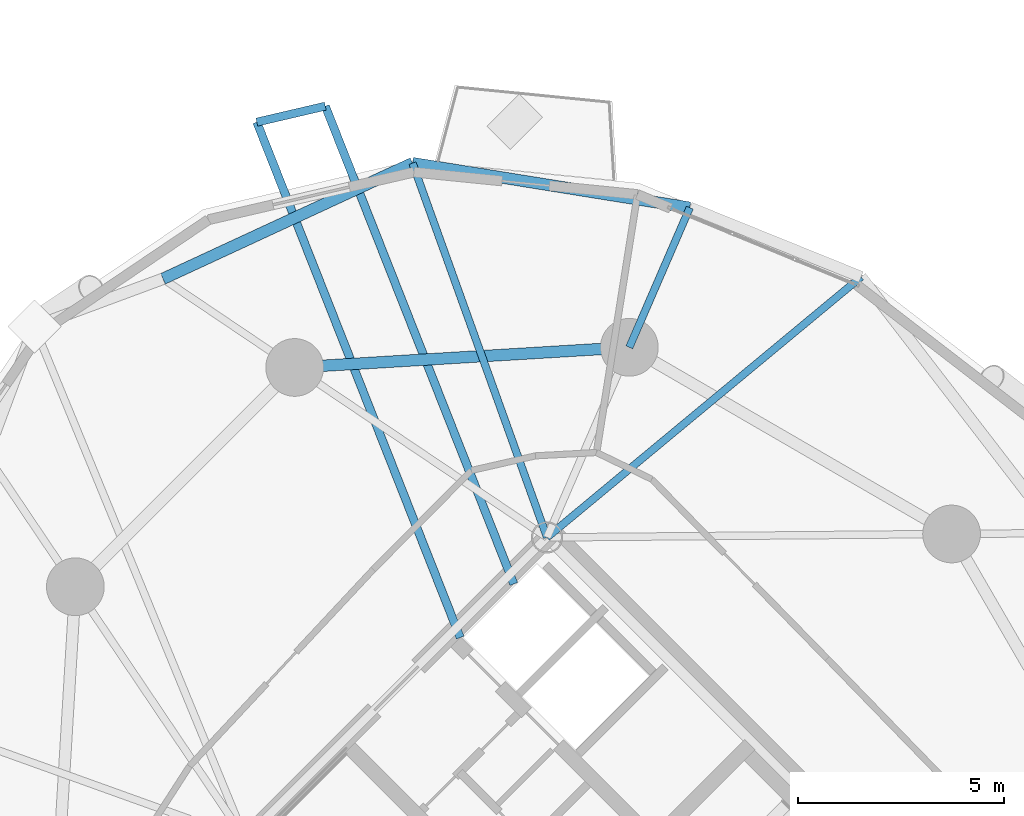
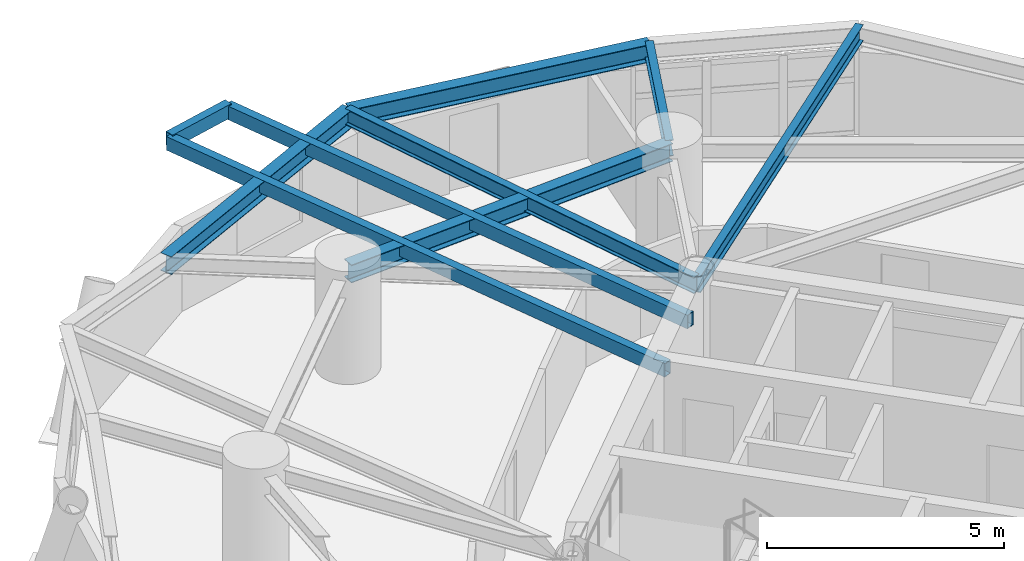
# One storey, part 6 of 18: 9 beams.
"""IFC4 building model written with IfcOpenShell, lengths in metres."""

import ifcopenshell
import ifcopenshell.guid

model = None  # the IFC model being written
_history = None  # IfcOwnerHistory: only IFC2X3 demands one
_inside = {}  # id of a spatial element -> (the spatial element, [elements in it])
_under = {}  # id of a project, library or spatial element -> (it, [spatial elements below it])
_declared = {}  # id of a project -> (the project, [libraries it declares])
_typed = {}  # id of a type object -> (the type object, [elements of that type])
_made_of = {}  # id of a material, layer set ... -> (it, [elements and type objects made of it])


def new_model(schema):
    """Start an empty IFC model of exactly this schema.

    Asked for "IFC4X3", IfcOpenShell would pick the latest addendum, in which some entities
    have other attributes; the version numbers below select the first issue.
    IFC2X3 requires an IfcOwnerHistory on every rooted entity: one is made here for all.
    """
    global model, _history
    if schema == "IFC4X3":
        model = ifcopenshell.file(schema_version=(4, 3, 0, 0))
    else:
        model = ifcopenshell.file(schema=schema)
    _inside.clear()
    _under.clear()
    _declared.clear()
    _typed.clear()
    _made_of.clear()
    _history = None
    if model.schema == "IFC2X3":
        org = make("IfcOrganization", Name="unknown")
        user = make(
            "IfcPersonAndOrganization",
            ThePerson=make("IfcPerson", FamilyName="unknown"),
            TheOrganization=org,
        )
        app = make(
            "IfcApplication",
            ApplicationDeveloper=org,
            Version="unknown",
            ApplicationFullName="unknown",
            ApplicationIdentifier="unknown",
        )
        _history = make(
            "IfcOwnerHistory",
            OwningUser=user,
            OwningApplication=app,
            ChangeAction="ADDED",
            CreationDate=0,
        )
    return model


def make(cls, **values):
    """One entity of the class cls with the attributes given. An attribute that is None is left unset."""
    return model.create_entity(
        cls, **{name: value for name, value in values.items() if value is not None}
    )


def rooted(cls, **values):
    """An entity with a GlobalId (a new one), such as an element, a storey or a relation."""
    return make(cls, GlobalId=ifcopenshell.guid.new(), OwnerHistory=_history, **values)


def si_unit(unit_type, name, prefix=None):
    """IfcSIUnit, for example si_unit("LENGTHUNIT", "METRE", prefix="MILLI")."""
    return make("IfcSIUnit", UnitType=unit_type, Prefix=prefix, Name=name)


def assignment(units):
    """IfcUnitAssignment: the units of a project."""
    return None if units is None else make("IfcUnitAssignment", Units=units)


def point(xyz):
    """IfcCartesianPoint."""
    return None if xyz is None else make("IfcCartesianPoint", Coordinates=xyz)


def direction(xyz):
    """IfcDirection."""
    return None if xyz is None else make("IfcDirection", DirectionRatios=xyz)


def frame(location, z_axis=None, x_axis=None):
    """IfcAxis2Placement3D, a coordinate frame: its origin and axes. An axis left out is left unset."""
    return make(
        "IfcAxis2Placement3D",
        Location=point(location),
        Axis=direction(z_axis),
        RefDirection=direction(x_axis),
    )


def frame_2d(location, x_axis=None):
    """IfcAxis2Placement2D, a coordinate frame in the plane: its origin and x axis."""
    return make(
        "IfcAxis2Placement2D", Location=point(location), RefDirection=direction(x_axis)
    )


def origin():
    """The frame at (0, 0, 0) with its axes left unset."""
    return frame((0.0, 0.0, 0.0))


def origin_2d():
    """The frame at (0, 0) in the plane with its x axis left unset."""
    return frame_2d((0.0, 0.0))


def place(relative_to, where):
    """IfcLocalPlacement: puts the frame where relative to a parent placement (None: the world)."""
    return make(
        "IfcLocalPlacement", PlacementRelTo=relative_to, RelativePlacement=where
    )


def context(
    kind, dimensions, precision=None, world=None, true_north=None, identifier=None
):
    """IfcGeometricRepresentationContext, for example the 3D "Model" context."""
    return make(
        "IfcGeometricRepresentationContext",
        ContextIdentifier=identifier,
        ContextType=kind,
        CoordinateSpaceDimension=dimensions,
        Precision=precision,
        WorldCoordinateSystem=world,
        TrueNorth=true_north,
    )


def subcontext(parent, identifier, kind, view, scale=None):
    """IfcGeometricRepresentationSubContext, for example "Body" below "Model"."""
    return make(
        "IfcGeometricRepresentationSubContext",
        ContextIdentifier=identifier,
        ContextType=kind,
        ParentContext=parent,
        TargetScale=scale,
        TargetView=view,
    )


def project(units=None, contexts=None):
    """IfcProject with its units and contexts."""
    return rooted(
        "IfcProject",
        Name="project",
        RepresentationContexts=contexts,
        UnitsInContext=assignment(units),
    )


def spatial(cls, under=None, at=None, **own):
    """A site, building, storey or space (cls), placed at a placement, below another one or the project."""
    s = rooted(cls, ObjectPlacement=at, **own)
    if under is not None:
        _under.setdefault(under.id(), (under, []))[1].append(s)
    return s


def profile(cls, at=None, kind="AREA", **sizes):
    """A parametric profile (cls). Its sizes go by their IFC names, for example OverallWidth=200.0."""
    return make(cls, ProfileType=kind, Position=at, **sizes)


def hollow_rectangle(**sizes):
    """IfcRectangleHollowProfileDef."""
    return profile("IfcRectangleHollowProfileDef", **sizes)


def i_section(**sizes):
    """IfcIShapeProfileDef."""
    return profile("IfcIShapeProfileDef", **sizes)


def extrude(swept, where, along, depth):
    """IfcExtrudedAreaSolid: the profile swept, set in the frame where, extruded along a direction by depth."""
    return make(
        "IfcExtrudedAreaSolid",
        SweptArea=swept,
        Position=where,
        ExtrudedDirection=direction(along),
        Depth=depth,
    )


def shape(context_of_items, identifier, shape_type, items):
    """IfcShapeRepresentation: the items that make up one representation, for example the "Body"."""
    return make(
        "IfcShapeRepresentation",
        ContextOfItems=context_of_items,
        RepresentationIdentifier=identifier,
        RepresentationType=shape_type,
        Items=items,
    )


def material(Name=None, Category=None):
    """IfcMaterial."""
    return make("IfcMaterial", Name=Name, Category=Category)


def material_profile(
    of_material, cross_section, Name=None, Category=None, Priority=None
):
    """IfcMaterialProfile: a cross section and its material."""
    return make(
        "IfcMaterialProfile",
        Name=Name,
        Material=of_material,
        Profile=cross_section,
        Priority=Priority,
        Category=Category,
    )


def profile_set(profiles, Name=None, composite=None):
    """IfcMaterialProfileSet."""
    return make(
        "IfcMaterialProfileSet",
        Name=Name,
        MaterialProfiles=profiles,
        CompositeProfile=composite,
    )


def made_of(thing, what):
    """Note that an element or type object is made of a material, layer set ...; save() writes the relation."""
    if what is not None:
        _made_of.setdefault(what.id(), (what, []))[1].append(thing)
    return thing


def type_object(cls, material=None, **own):
    """A type object (cls), such as IfcWallType, which elements share."""
    return made_of(rooted(cls, **own), material)


def element(
    cls,
    number,
    at=None,
    inside=None,
    cuts=None,
    type_object=None,
    material=None,
    context=None,
    identifier="Body",
    shape_type=None,
    held_by="IfcProductDefinitionShape",
    body=None,
    shapes=None,
    **own,
):
    """One element of the class cls, such as IfcWall. Its Tag is "e" and its number.

    at: its placement. inside: the storey or other place that contains it. cuts: it is an
    opening in that element (IfcRelVoidsElement). A single representation is given by context,
    identifier, shape_type and body (its items); several are given by shapes. held_by: the class
    of the entity that holds the representations. save() writes the other relations.
    """
    e = rooted(cls, Tag="e%d" % number, ObjectPlacement=at, **own)
    if body is not None:
        shapes = [shape(context, identifier, shape_type, body)]
    if shapes is not None:
        e.Representation = make(held_by, Representations=shapes)
    if inside is not None:
        _inside.setdefault(inside.id(), (inside, []))[1].append(e)
    if cuts is not None:
        rooted(
            "IfcRelVoidsElement", RelatingBuildingElement=cuts, RelatedOpeningElement=e
        )
    if type_object is not None:
        _typed.setdefault(type_object.id(), (type_object, []))[1].append(e)
    return made_of(e, material)


def aggregate(whole, parts):
    """IfcRelAggregates: a whole, such as a stair, and the parts it consists of."""
    return rooted("IfcRelAggregates", RelatingObject=whole, RelatedObjects=parts)


def save(model, path):
    """Write the relations noted so far, then the file.

    IfcRelAggregates (storeys below a building ...), IfcRelContainedInSpatialStructure (elements
    in a storey), IfcRelDefinesByType, IfcRelAssociatesMaterial and IfcRelDeclares: one each for
    every whole, place, type object, material and project.
    """
    for whole, parts in _under.values():
        aggregate(whole, parts)
    for where, things in _inside.values():
        rooted(
            "IfcRelContainedInSpatialStructure",
            RelatedElements=things,
            RelatingStructure=where,
        )
    for kind, things in _typed.values():
        rooted("IfcRelDefinesByType", RelatedObjects=things, RelatingType=kind)
    for what, things in _made_of.values():
        rooted("IfcRelAssociatesMaterial", RelatedObjects=things, RelatingMaterial=what)
    for by, libraries in _declared.values():
        rooted("IfcRelDeclares", RelatingContext=by, RelatedDefinitions=libraries)
    model.write(path)


model = new_model("IFC4")

# Units and contexts
model_context = context("Model", 3, precision=1e-05, world=origin(), true_north=direction((0.0, 1.0)))
body_context = subcontext(model_context, "Body", "Model", "MODEL_VIEW")
ifc_project = project(units=[si_unit("LENGTHUNIT", "METRE"), si_unit("AREAUNIT", "SQUARE_METRE"), si_unit("VOLUMEUNIT", "CUBIC_METRE"), si_unit("PLANEANGLEUNIT", "RADIAN"), si_unit("MASSUNIT", "GRAM", prefix="KILO")], contexts=[model_context])

# Site, building, storey
site_placement = place(None, origin())
site = spatial("IfcSite", under=ifc_project, at=site_placement, CompositionType="ELEMENT")
building_placement = place(site_placement, origin())
building = spatial("IfcBuilding", under=site, at=building_placement, Name="Cununo Teusaquillo Station Towers", CompositionType="ELEMENT")
storey_placement = place(building_placement, frame((0.0, 0.0, 75.969970703125)))
storey = spatial("IfcBuildingStorey", under=building, at=storey_placement, Name="L23", CompositionType="ELEMENT", Elevation=75.969970703125)

# Beams
ifc_material_1 = material(Name="Steel EN 10025-2 S355J2", Category="steel")
ifc_material_profile_1 = material_profile(ifc_material_1, hollow_rectangle(XDim=0.199951171875, YDim=0.35009765625, WallThickness=0.013916015625, at=origin_2d()), Name="RHS 350x200x14")
ifc_profile_set_1 = profile_set([ifc_material_profile_1], Name="Steel EN 10025-2 S355J2")
beam_type_1 = type_object("IfcBeamType", Name="BM-BAL-CANT", PredefinedType="BEAM", material=ifc_profile_set_1)
beam_1_placement = place(storey_placement, frame((55.48974609375, 31.894287109375, 2.4951171875), z_axis=(-0.367001462432, 0.930220364523, 0.0), x_axis=(-0.930220364523, -0.367001462432, 0.0)))
element("IfcBeam", 1, at=beam_1_placement, inside=storey, type_object=beam_type_1, Name="L23 Tower B Balcony Cantilever Bracket 1A", PredefinedType="BEAM", context=body_context, shape_type="SweptSolid", body=[
    extrude(hollow_rectangle(XDim=0.199951171875, YDim=0.35009765625, WallThickness=0.013916015625, at=origin_2d()), origin(), (0.0, 0.0, 1.0), 12.459716796875),
])
beam_2_placement = place(storey_placement, frame((54.188720703125, 30.593505859375, 2.4951171875), z_axis=(-0.367008555132, 0.930217566196, 0.0), x_axis=(-0.930217566196, -0.367008555132, 0.0)))
element("IfcBeam", 2, at=beam_2_placement, inside=storey, type_object=beam_type_1, Name="L23 Tower B Balcony Cantilever Bracket 1B", PredefinedType="BEAM", context=body_context, shape_type="SweptSolid", body=[
    extrude(hollow_rectangle(XDim=0.199951171875, YDim=0.35009765625, WallThickness=0.013916015625, at=origin_2d()), origin(), (0.0, 0.0, 1.0), 13.44140625),
])
ifc_material_2 = material(Name="Steel ASTM A572 Grade 50", Category="steel")
ifc_material_profile_2 = material_profile(ifc_material_2, i_section(OverallWidth=0.180908203125, OverallDepth=0.4169921875, WebThickness=0.010986328125, FlangeThickness=0.018310546875, FilletRadius=0.012939453125, at=origin_2d()), Name="W16X57")
ifc_profile_set_2 = profile_set([ifc_material_profile_2], Name="Steel ASTM A572 Grade 50")
beam_type_2 = type_object("IfcBeamType", Name="BM-JOIST-1", PredefinedType="JOIST", material=ifc_profile_set_2)
beam_3_placement = place(storey_placement, frame((56.29443359375, 33.024169921875, 2.46142578125), z_axis=(0.769727799615, 0.638372238196, 0.0), x_axis=(-0.638372238196, 0.769727799615, 0.0)))
element("IfcBeam", 3, at=beam_3_placement, inside=storey, type_object=beam_type_2, Name="L23 Tower B Radial Spandrel Joist V01", PredefinedType="JOIST", context=body_context, shape_type="SweptSolid", body=[
    extrude(i_section(OverallWidth=0.180908203125, OverallDepth=0.4169921875, WebThickness=0.010986328125, FlangeThickness=0.018310546875, FilletRadius=0.012939453125, at=origin_2d()), origin(), (0.0, 0.0, 1.0), 9.895263671875),
])
beam_4_placement = place(storey_placement, frame((56.29443359375, 33.024169921875, 2.46142578125), z_axis=(-0.338176312038, 0.941082771055, 0.0), x_axis=(-0.941082771055, -0.338176312038, 0.0)))
element("IfcBeam", 4, at=beam_4_placement, inside=storey, type_object=beam_type_2, Name="L23 Tower B Radial Spandrel Joist V03", PredefinedType="JOIST", context=body_context, shape_type="SweptSolid", body=[
    extrude(i_section(OverallWidth=0.180908203125, OverallDepth=0.4169921875, WebThickness=0.010986328125, FlangeThickness=0.018310546875, FilletRadius=0.012939453125, at=origin_2d()), origin(), (0.0, 0.0, 1.0), 9.646484375),
])
ifc_material_3 = material(Name="Steel ASTM A572 Grade 50", Category="steel")
ifc_material_profile_3 = material_profile(ifc_material_3, i_section(OverallWidth=0.180908203125, OverallDepth=0.4169921875, WebThickness=0.010986328125, FlangeThickness=0.018310546875, FilletRadius=0.012939453125, at=origin_2d()), Name="W16X57")
ifc_profile_set_3 = profile_set([ifc_material_profile_3], Name="Steel ASTM A572 Grade 50")
beam_type_3 = type_object("IfcBeamType", Name="BM-RAD-G2", PredefinedType="BEAM", material=ifc_profile_set_3)
beam_5_placement = place(storey_placement, frame((58.291015625, 37.63525390625, 2.46142578125), z_axis=(0.397421761279, 0.917636062751, 0.0), x_axis=(-0.917636062751, 0.397421761279, 0.0)))
element("IfcBeam", 5, at=beam_5_placement, inside=storey, type_object=beam_type_3, Name="L23 Tower B Perimeter Overhang Girder 02B", PredefinedType="BEAM", context=body_context, shape_type="SweptSolid", body=[
    extrude(i_section(OverallWidth=0.180908203125, OverallDepth=0.4169921875, WebThickness=0.010986328125, FlangeThickness=0.018310546875, FilletRadius=0.012939453125, at=origin_2d()), origin(), (0.0, 0.0, 1.0), 3.690185546875),
])
ifc_material_4 = material(Name="Steel ASTM A572 Grade 50", Category="steel")
ifc_material_profile_4 = material_profile(ifc_material_4, i_section(OverallWidth=0.280029296875, OverallDepth=0.462890625, WebThickness=0.0107421875, FlangeThickness=0.017333984375, FilletRadius=0.013916015625, at=origin_2d()), Name="W18X76")
ifc_profile_set_4 = profile_set([ifc_material_profile_4], Name="Steel ASTM A572 Grade 50")
beam_type_4 = type_object("IfcBeamType", Name="BM-RING-Z2", PredefinedType="SPANDREL", material=ifc_profile_set_4)
beam_6_placement = place(storey_placement, frame((58.291015625, 37.63525390625, 2.4384765625), z_axis=(-0.998190567048, -0.06012979176, 0.0), x_axis=(0.06012979176, -0.998190567048, 0.0)))
element("IfcBeam", 6, at=beam_6_placement, inside=storey, type_object=beam_type_4, Name="L23 Tower B Structural Column Ring Girder 02", PredefinedType="SPANDREL", context=body_context, shape_type="SweptSolid", body=[
    extrude(i_section(OverallWidth=0.280029296875, OverallDepth=0.462890625, WebThickness=0.0107421875, FlangeThickness=0.017333984375, FilletRadius=0.013916015625, at=origin_2d()), origin(), (0.0, 0.0, 1.0), 8.132568359375),
])
beam_7_placement = place(storey_placement, frame((59.757568359375, 41.021484375, 2.4384765625), z_axis=(-0.987331474246, 0.158671232312, 0.0), x_axis=(-0.158671232312, -0.987331474246, 0.0)))
element("IfcBeam", 7, at=beam_7_placement, inside=storey, type_object=beam_type_4, Name="L23 Tower B Spandrel Ring Beam 03", PredefinedType="SPANDREL", context=body_context, shape_type="SweptSolid", body=[
    extrude(i_section(OverallWidth=0.280029296875, OverallDepth=0.462890625, WebThickness=0.0107421875, FlangeThickness=0.017333984375, FilletRadius=0.013916015625, at=origin_2d()), origin(), (0.0, 0.0, 1.0), 6.8115234375),
])
beam_8_placement = place(storey_placement, frame((53.0322265625, 42.102294921875, 2.4384765625), z_axis=(-0.907275870354, -0.420535961689, 0.0), x_axis=(0.420535961689, -0.907275870354, 0.0)))
element("IfcBeam", 8, at=beam_8_placement, inside=storey, type_object=beam_type_4, Name="L23 Tower B Spandrel Ring Beam 04", PredefinedType="SPANDREL", context=body_context, shape_type="SweptSolid", body=[
    extrude(i_section(OverallWidth=0.280029296875, OverallDepth=0.462890625, WebThickness=0.0107421875, FlangeThickness=0.017333984375, FilletRadius=0.013916015625, at=origin_2d()), origin(), (0.0, 0.0, 1.0), 6.671142578125),
])
ifc_material_5 = material(Name="Steel EN 10025-2 S355J2", Category="steel")
ifc_material_profile_5 = material_profile(ifc_material_5, hollow_rectangle(XDim=0.199951171875, YDim=0.35009765625, WallThickness=0.013916015625, at=origin_2d()), Name="RHS 350x200x14")
ifc_profile_set_5 = profile_set([ifc_material_profile_5], Name="Steel EN 10025-2 S355J2")
beam_type_5 = type_object("IfcBeamType", Name="BM-STAIR-TRIM", PredefinedType="BEAM", material=ifc_profile_set_5)
beam_9_placement = place(storey_placement, frame((50.9169921875, 43.484619140625, 2.525146484375), z_axis=(-0.973835931599, -0.22725223503, 0.0), x_axis=(0.22725223503, -0.973835931599, 0.0)))
element("IfcBeam", 9, at=beam_9_placement, inside=storey, type_object=beam_type_5, Name="L23 Tower B Balcony Edge Trimmer Beam 1", PredefinedType="BEAM", context=body_context, shape_type="SweptSolid", body=[
    extrude(hollow_rectangle(XDim=0.199951171875, YDim=0.35009765625, WallThickness=0.013916015625, at=origin_2d()), origin(), (0.0, 0.0, 1.0), 1.7060546875),
])

save(model, "model.ifc")
